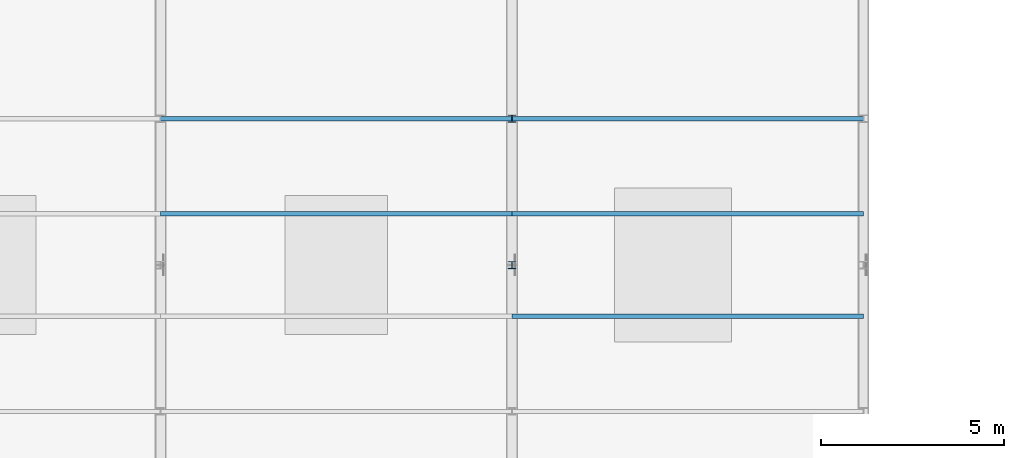
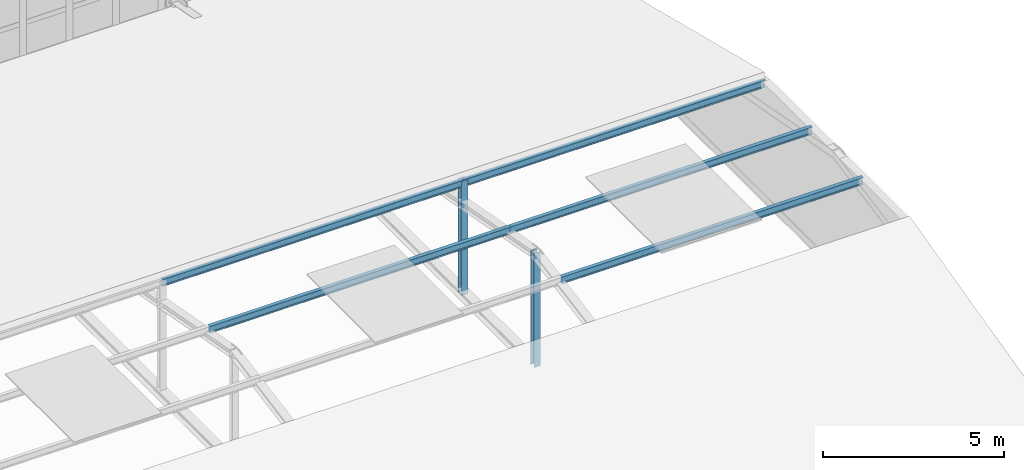
# One storey, part 32 of 73: 5 beams, 2 members.
"""IFC4 building model written with IfcOpenShell, lengths in metres."""

from ifc_helpers import new_model, si_unit, direction, frame, origin, origin_2d, place, context, subcontext, project, spatial, i_section, extrude, material, material_profile, profile_set, type_object, element, save


model = new_model("IFC4")

# Units and contexts
model_context = context("Model", 3, precision=1e-05, world=origin(), true_north=direction((0.0, 1.0)))
body_context = subcontext(model_context, "Body", "Model", "MODEL_VIEW")
ifc_project = project(units=[si_unit("LENGTHUNIT", "METRE"), si_unit("AREAUNIT", "SQUARE_METRE"), si_unit("VOLUMEUNIT", "CUBIC_METRE"), si_unit("PLANEANGLEUNIT", "RADIAN"), si_unit("MASSUNIT", "GRAM", prefix="KILO")], contexts=[model_context])

# Site, building, storey
site_placement = place(None, origin())
site = spatial("IfcSite", under=ifc_project, at=site_placement, CompositionType="ELEMENT")
building_placement = place(site_placement, origin())
building = spatial("IfcBuilding", under=site, at=building_placement, Name="Alderhovde Museum", CompositionType="ELEMENT")
storey_placement = place(building_placement, frame((0.0, 0.0, 17.39990234375)))
storey = spatial("IfcBuildingStorey", under=building, at=storey_placement, Name="L04", CompositionType="ELEMENT", Elevation=17.39990234375)

# Beams
ifc_material_1 = material(Name="Steel S355J2", Category="steel")
ifc_material_profile_1 = material_profile(ifc_material_1, i_section(OverallWidth=0.1201171875, OverallDepth=0.239990234375, WebThickness=0.006103515625, FlangeThickness=0.009765625, FilletRadius=0.014892578125, at=origin_2d()), Name="IPE 240")
ifc_profile_set_1 = profile_set([ifc_material_profile_1], Name="Steel S355J2")
beam_type = type_object("IfcBeamType", Name="BM-IPE240", PredefinedType="BEAM", material=ifc_profile_set_1)
beam_1_placement = place(storey_placement, frame((105.60009765625, 50.60009765625, 3.840087890625), z_axis=(1.0, 0.0, 0.0), x_axis=(0.0, 1.0, 0.0)))
element("IfcBeam", 1, at=beam_1_placement, inside=storey, type_object=beam_type, Name="Atrium Ridge Bearer Y=51", PredefinedType="BEAM", context=body_context, shape_type="SweptSolid", body=[
    extrude(i_section(OverallWidth=0.1201171875, OverallDepth=0.239990234375, WebThickness=0.006103515625, FlangeThickness=0.009765625, FilletRadius=0.014892578125, at=origin_2d()), origin(), (0.0, 0.0, 1.0), 9.599853515625),
])
beam_2_placement = place(storey_placement, frame((96.0, 53.39990234375, 3.840087890625), z_axis=(1.0, 0.0, 0.0), x_axis=(0.0, 1.0, 0.0)))
element("IfcBeam", 2, at=beam_2_placement, inside=storey, type_object=beam_type, Name="Atrium Ridge Bearer Y=53", PredefinedType="BEAM", context=body_context, shape_type="SweptSolid", body=[
    extrude(i_section(OverallWidth=0.1201171875, OverallDepth=0.239990234375, WebThickness=0.006103515625, FlangeThickness=0.009765625, FilletRadius=0.014892578125, at=origin_2d()), origin(), (0.0, 0.0, 1.0), 9.60009765625),
])
beam_3_placement = place(storey_placement, frame((105.60009765625, 53.39990234375, 3.840087890625), z_axis=(1.0, 0.0, 0.0), x_axis=(0.0, 1.0, 0.0)))
element("IfcBeam", 3, at=beam_3_placement, inside=storey, type_object=beam_type, Name="Atrium Ridge Bearer Y=53", PredefinedType="BEAM", context=body_context, shape_type="SweptSolid", body=[
    extrude(i_section(OverallWidth=0.1201171875, OverallDepth=0.239990234375, WebThickness=0.006103515625, FlangeThickness=0.009765625, FilletRadius=0.014892578125, at=origin_2d()), origin(), (0.0, 0.0, 1.0), 9.599853515625),
])
beam_4_placement = place(storey_placement, frame((96.0, 56.0, 3.840087890625), z_axis=(1.0, 0.0, 0.0), x_axis=(0.0, 1.0, 0.0)))
element("IfcBeam", 4, at=beam_4_placement, inside=storey, type_object=beam_type, Name="Atrium Ridge Bearer Y=56", PredefinedType="BEAM", context=body_context, shape_type="SweptSolid", body=[
    extrude(i_section(OverallWidth=0.1201171875, OverallDepth=0.239990234375, WebThickness=0.006103515625, FlangeThickness=0.009765625, FilletRadius=0.014892578125, at=origin_2d()), origin(), (0.0, 0.0, 1.0), 9.60009765625),
])
beam_5_placement = place(storey_placement, frame((105.60009765625, 56.0, 3.840087890625), z_axis=(1.0, 0.0, 0.0), x_axis=(0.0, 1.0, 0.0)))
element("IfcBeam", 5, at=beam_5_placement, inside=storey, type_object=beam_type, Name="Atrium Ridge Bearer Y=56", PredefinedType="BEAM", context=body_context, shape_type="SweptSolid", body=[
    extrude(i_section(OverallWidth=0.1201171875, OverallDepth=0.239990234375, WebThickness=0.006103515625, FlangeThickness=0.009765625, FilletRadius=0.014892578125, at=origin_2d()), origin(), (0.0, 0.0, 1.0), 9.599853515625),
])

# Members
ifc_material_2 = material(Name="Steel S355J2", Category="steel")
ifc_material_profile_2 = material_profile(ifc_material_2, i_section(OverallWidth=0.199951171875, OverallDepth=0.18994140625, WebThickness=0.006591796875, FlangeThickness=0.010009765625, FilletRadius=0.01806640625, at=origin_2d()), Name="HEA 200")
ifc_profile_set_2 = profile_set([ifc_material_profile_2], Name="Steel S355J2")
member_type = type_object("IfcMemberType", Name="TR-PS-HEA200", PredefinedType="POST", material=ifc_profile_set_2)
for number, where, z_axis, x_axis, name in (
    (6, (105.60009765625, 52.0, 0.1201171875), (0.0, 0.0, 1.0), (1.0, 0.0, 0.0), "Atrium Truss X=105.6 Post P2"),
    (7, (105.60009765625, 56.0, 0.1201171875), (0.0, 0.0, 1.0), (1.0, 0.0, 0.0), "Atrium Truss X=105.6 Post P3"),
):
    element("IfcMember", number, at=place(storey_placement, frame(where, z_axis=z_axis, x_axis=x_axis)), inside=storey, type_object=member_type, Name=name, PredefinedType="POST", context=body_context, shape_type="SweptSolid", body=[
        extrude(i_section(OverallWidth=0.199951171875, OverallDepth=0.18994140625, WebThickness=0.006591796875, FlangeThickness=0.010009765625, FilletRadius=0.01806640625, at=origin_2d()), origin(), (0.0, 0.0, 1.0), 3.840087890625),
    ])

save(model, "model.ifc")
